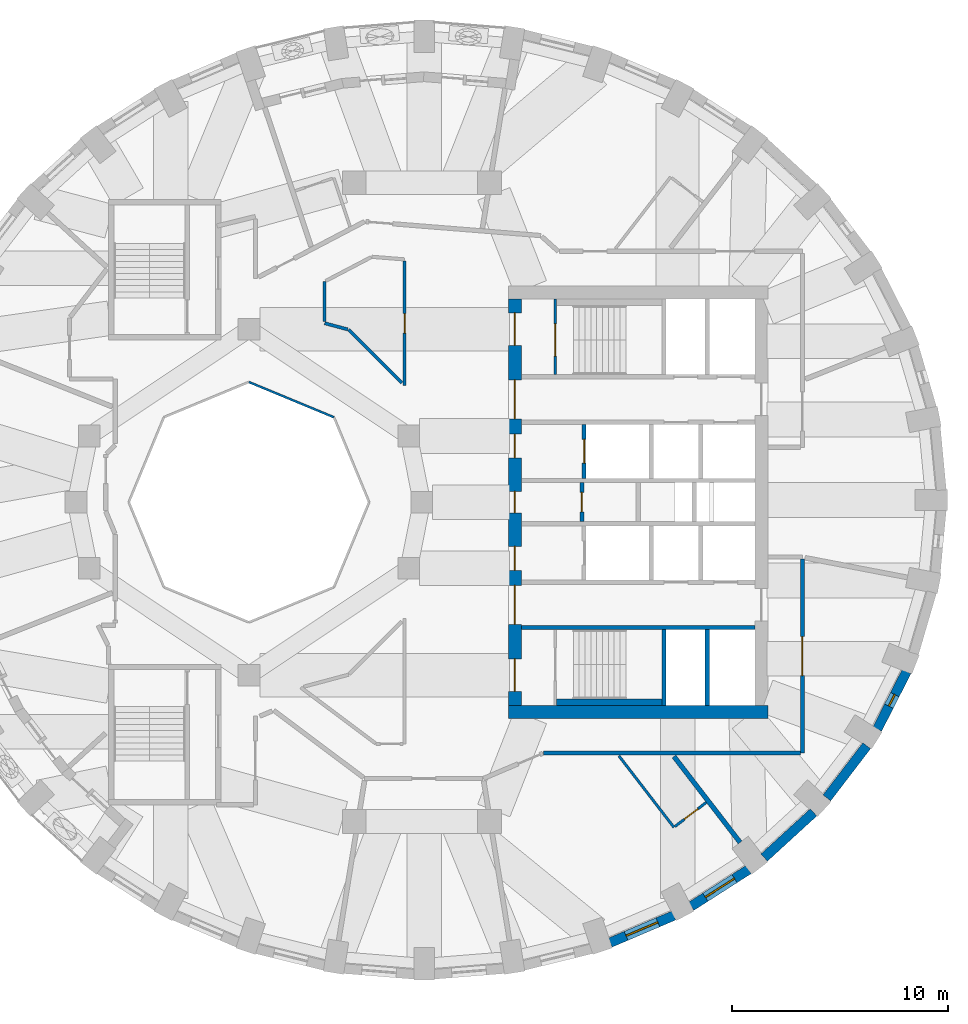
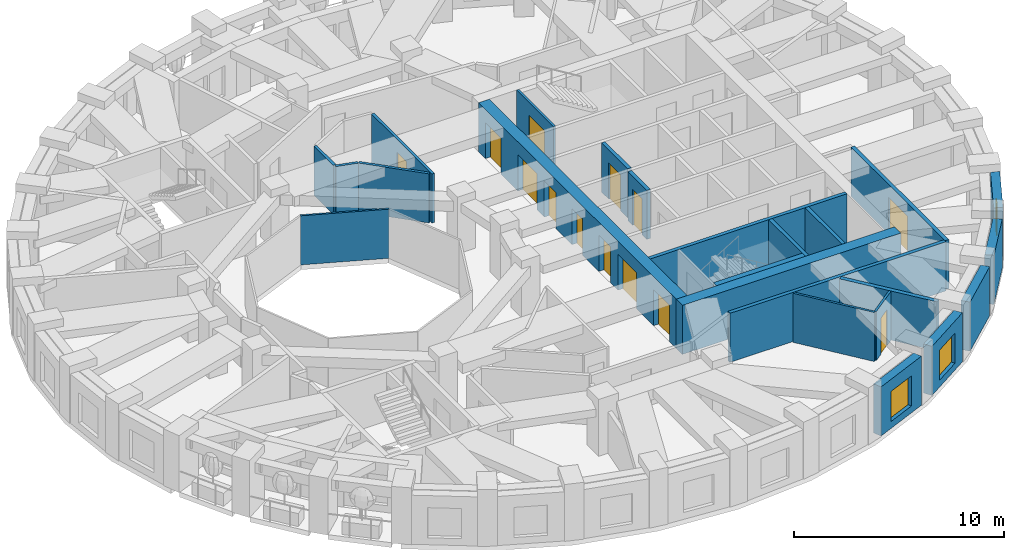
# One storey, part 5 of 11: 24 walls, 13 doors, 3 windows, 16 openings.
"""IFC4 building model written with IfcOpenShell, lengths in metres."""

from ifc_helpers import new_model, si_unit, direction, frame, frame_2d, origin, place, context, subcontext, project, spatial, rectangle, extrude, material, layer, layer_set, type_object, element, fill, save


model = new_model("IFC4")

# Units and contexts
model_context = context("Model", 3, precision=1e-05, world=origin(), true_north=direction((0.0, 1.0)))
body_context = subcontext(model_context, "Body", "Model", "MODEL_VIEW")
ifc_project = project(units=[si_unit("LENGTHUNIT", "METRE"), si_unit("AREAUNIT", "SQUARE_METRE"), si_unit("VOLUMEUNIT", "CUBIC_METRE"), si_unit("PLANEANGLEUNIT", "RADIAN"), si_unit("MASSUNIT", "GRAM", prefix="KILO")], contexts=[model_context])

# Site, building, storey
site_placement = place(None, origin())
site = spatial("IfcSite", under=ifc_project, at=site_placement, CompositionType="ELEMENT")
building_placement = place(site_placement, origin())
building = spatial("IfcBuilding", under=site, at=building_placement, Name="Taillehof Tower", CompositionType="ELEMENT")
storey_placement = place(building_placement, frame((0.0, 0.0, 181.39990234375)))
storey = spatial("IfcBuildingStorey", under=building, at=storey_placement, Name="L51", CompositionType="ELEMENT", Elevation=181.39990234375)

# Wall
ifc_material_1 = material(Name="Fire-resisting glass in steel frame", Category="steel")
ifc_layer_1 = layer(ifc_material_1, 0.10009765625)
ifc_layer_set_1 = layer_set([ifc_layer_1], Name="Atrium fire-resisting screen EI 60 100")
wall_type_1 = type_object("IfcWallType", Name="Atrium fire-resisting screen EI 60 100", PredefinedType="PARTITIONING", material=ifc_layer_set_1)
wall_1_placement = place(storey_placement, frame((-8.0, 5.55419921875, 0.0), z_axis=(0.0, 0.0, 1.0), x_axis=(0.923860025149, -0.382730523909, 0.0)))
element("IfcWall", 1, at=wall_1_placement, inside=storey, type_object=wall_type_1, Name="Atrium screen", PredefinedType="PARTITIONING", context=body_context, shape_type="SweptSolid", body=[
    extrude(rectangle(XDim=4.2509765625, YDim=0.10009765625, at=frame_2d((2.12548828125, 0.0))), origin(), (0.0, 0.0, 1.0), 2.85009765625),
])

# Wall, opening, window
ifc_material_2 = material(Name="Brick masonry", Category="masonry")
ifc_layer_2 = layer(ifc_material_2, 0.449951171875)
ifc_layer_set_2 = layer_set([ifc_layer_2], Name="Brick infill wall 450")
wall_type_2 = type_object("IfcWallType", Name="Brick infill wall 450", PredefinedType="SOLIDWALL", material=ifc_layer_set_2)
wall_2_placement = place(storey_placement, frame((8.706298828125, -20.37451171875, 0.0), z_axis=(0.0, 0.0, 1.0), x_axis=(0.91981046949, 0.392362969986, 0.0)))
wall_2 = element("IfcWall", 2, at=wall_2_placement, inside=storey, type_object=wall_type_2, Name="Brick wall L51 bay 30", PredefinedType="SOLIDWALL", context=body_context, shape_type="SweptSolid", body=[
    extrude(rectangle(XDim=3.20068359375, YDim=0.449951171875, at=frame_2d((1.600341796875, 0.0))), origin(), (0.0, 0.0, 1.0), 2.85009765625),
])
opening_1_placement = place(wall_2_placement, frame((0.80029296875, 0.0, 0.39990234375)))
opening_1 = element("IfcOpeningElement", 3, at=opening_1_placement, cuts=wall_2, Name="Opening W3", PredefinedType="OPENING", context=body_context, shape_type="SweptSolid", body=[
    extrude(rectangle(XDim=1.60009765625, YDim=1.75, at=frame_2d((0.800048828125, 0.875))), frame((0.0, 0.23486328125, 0.0), z_axis=(0.0, -1.0, 0.0), x_axis=(1.0, 0.0, 0.0)), (0.0, 0.0, 1.0), 0.469970703125),
])
ifc_material_3 = material(Name="Aluminium window frame with clear double glazing", Category="aluminium")
window_type_1 = type_object("IfcWindowType", Name="Deep-set window 1600x1750", PartitioningType="SINGLE_PANEL", PredefinedType="WINDOW", material=ifc_material_3)
window_1_placement = place(opening_1_placement, origin())
window_1 = element("IfcWindow", 4, at=window_1_placement, inside=storey, type_object=window_type_1, Name="W3", OverallHeight=1.75, OverallWidth=1.60009765625, PartitioningType="SINGLE_PANEL", PredefinedType="WINDOW", context=body_context, shape_type="SweptSolid", body=[
    extrude(rectangle(XDim=1.60009765625, YDim=1.75, at=frame_2d((0.800048828125, 0.875))), frame((0.0, 0.034912109375, 0.0), z_axis=(0.0, -1.0, 0.0), x_axis=(1.0, 0.0, 0.0)), (0.0, 0.0, 1.0), 0.06005859375),
])
fill(opening_1, window_1)

wall_3_placement = place(storey_placement, frame((12.454833984375, -18.693115234375, 0.0), z_axis=(0.0, 0.0, 1.0), x_axis=(0.842065914439, 0.539374633943, 0.0)))
wall_3 = element("IfcWall", 5, at=wall_3_placement, inside=storey, type_object=wall_type_2, Name="Brick wall L51 bay 31", PredefinedType="SOLIDWALL", context=body_context, shape_type="SweptSolid", body=[
    extrude(rectangle(XDim=3.1513671875, YDim=0.449951171875, at=frame_2d((1.57568359375, 0.0))), origin(), (0.0, 0.0, 1.0), 2.85009765625),
])
opening_2_placement = place(wall_3_placement, frame((0.775634765625, 0.0, 0.39990234375)))
opening_2 = element("IfcOpeningElement", 6, at=opening_2_placement, cuts=wall_3, Name="Opening W3", PredefinedType="OPENING", context=body_context, shape_type="SweptSolid", body=[
    extrude(rectangle(XDim=1.60009765625, YDim=1.75, at=frame_2d((0.800048828125, 0.875))), frame((0.0, 0.23486328125, 0.0), z_axis=(0.0, -1.0, 0.0), x_axis=(1.0, 0.0, 0.0)), (0.0, 0.0, 1.0), 0.469970703125),
])
window_2_placement = place(opening_2_placement, origin())
window_2 = element("IfcWindow", 7, at=window_2_placement, inside=storey, type_object=window_type_1, Name="W3", OverallHeight=1.75, OverallWidth=1.60009765625, PartitioningType="SINGLE_PANEL", PredefinedType="WINDOW", context=body_context, shape_type="SweptSolid", body=[
    extrude(rectangle(XDim=1.60009765625, YDim=1.75, at=frame_2d((0.800048828125, 0.875))), frame((0.0, 0.034912109375, 0.0), z_axis=(0.0, -1.0, 0.0), x_axis=(1.0, 0.0, 0.0)), (0.0, 0.0, 1.0), 0.06005859375),
])
fill(opening_2, window_2)

# Walls
wall_4_placement = place(storey_placement, frame((15.830078125, -16.438720703125, 0.0), z_axis=(0.0, 0.0, 1.0), x_axis=(0.737808755941, 0.675009807082, 0.0)))
element("IfcWall", 8, at=wall_4_placement, inside=storey, type_object=wall_type_2, Name="Brick wall L51 bay 32", PredefinedType="SOLIDWALL", context=body_context, shape_type="SweptSolid", body=[
    extrude(rectangle(XDim=3.094482421875, YDim=0.449951171875, at=frame_2d((1.54736328125, 0.0))), origin(), (0.0, 0.0, 1.0), 2.85009765625),
])
wall_5_placement = place(storey_placement, frame((18.72802734375, -13.6787109375, 0.0), z_axis=(0.0, 0.0, 1.0), x_axis=(0.607817056371, 0.794077090706, 0.0)))
element("IfcWall", 9, at=wall_5_placement, inside=storey, type_object=wall_type_2, Name="Brick wall L51 bay 33", PredefinedType="SOLIDWALL", context=body_context, shape_type="SweptSolid", body=[
    extrude(rectangle(XDim=3.037109375, YDim=0.449951171875, at=frame_2d((1.5185546875, 0.0))), origin(), (0.0, 0.0, 1.0), 2.85009765625),
])

# Wall, opening, window
wall_6_placement = place(storey_placement, frame((21.059326171875, -10.4970703125, 0.0), z_axis=(0.0, 0.0, 1.0), x_axis=(0.454133999889, 0.890933392653, 0.0)))
wall_6 = element("IfcWall", 10, at=wall_6_placement, inside=storey, type_object=wall_type_2, Name="Brick wall L51 bay 34", PredefinedType="SOLIDWALL", context=body_context, shape_type="SweptSolid", body=[
    extrude(rectangle(XDim=2.98583984375, YDim=0.449951171875, at=frame_2d((1.492919921875, 0.0))), origin(), (0.0, 0.0, 1.0), 2.85009765625),
])
opening_3_placement = place(wall_6_placement, frame((1.19287109375, 0.0, 0.39990234375)))
opening_3 = element("IfcOpeningElement", 11, at=opening_3_placement, cuts=wall_6, Name="Opening W6", PredefinedType="OPENING", context=body_context, shape_type="SweptSolid", body=[
    extrude(rectangle(XDim=0.60009765625, YDim=1.75, at=frame_2d((0.300048828125, 0.875))), frame((0.0, 0.23486328125, 0.0), z_axis=(0.0, -1.0, 0.0), x_axis=(1.0, 0.0, 0.0)), (0.0, 0.0, 1.0), 0.469970703125),
])
ifc_material_4 = material(Name="Aluminium window frame with clear double glazing", Category="aluminium")
window_type_2 = type_object("IfcWindowType", Name="Slot window 600x1750", PartitioningType="SINGLE_PANEL", PredefinedType="WINDOW", material=ifc_material_4)
window_3_placement = place(opening_3_placement, origin())
window_3 = element("IfcWindow", 12, at=window_3_placement, inside=storey, type_object=window_type_2, Name="W6", OverallHeight=1.75, OverallWidth=0.60009765625, PartitioningType="SINGLE_PANEL", PredefinedType="WINDOW", context=body_context, shape_type="SweptSolid", body=[
    extrude(rectangle(XDim=0.60009765625, YDim=1.75, at=frame_2d((0.300048828125, 0.875))), frame((0.0, 0.034912109375, 0.0), z_axis=(0.0, -1.0, 0.0), x_axis=(1.0, 0.0, 0.0)), (0.0, 0.0, 1.0), 0.06005859375),
])
fill(opening_3, window_3)

# Wall, opening, door
ifc_material_5 = material(Name="Calcium silicate masonry", Category="masonry")
ifc_layer_3 = layer(ifc_material_5, 0.199951171875)
ifc_layer_set_3 = layer_set([ifc_layer_3], Name="Compartment wall calcium silicate 200")
wall_type_3 = type_object("IfcWallType", Name="Compartment wall calcium silicate 200", PredefinedType="PARTITIONING", material=ifc_layer_set_3)
wall_7_placement = place(storey_placement, frame((7.39990234375, -0.89990234375, 0.0), z_axis=(0.0, 0.0, 1.0), x_axis=(0.0, 1.0, 0.0)))
wall_7 = element("IfcWall", 13, at=wall_7_placement, inside=storey, type_object=wall_type_3, Name="Compartment wall FW", PredefinedType="PARTITIONING", context=body_context, shape_type="SweptSolid", body=[
    extrude(rectangle(XDim=1.7998046875, YDim=0.199951171875, at=frame_2d((0.89990234375, 0.0))), origin(), (0.0, 0.0, 1.0), 2.85009765625),
])
opening_4_placement = place(wall_7_placement, frame((0.449951171875, 0.0, 0.0)))
opening_4 = element("IfcOpeningElement", 14, at=opening_4_placement, cuts=wall_7, Name="Opening D5114", PredefinedType="OPENING", context=body_context, shape_type="SweptSolid", body=[
    extrude(rectangle(XDim=0.89990234375, YDim=2.10009765625, at=frame_2d((0.449951171875, 1.050048828125))), frame((0.0, 0.10986328125, 0.0), z_axis=(0.0, -1.0, 0.0), x_axis=(1.0, 0.0, 0.0)), (0.0, 0.0, 1.0), 0.219970703125),
])
ifc_material_6 = material(Name="Steel-faced fire door", Category="steel")
door_type_1 = type_object("IfcDoorType", Name="Riser and service room door 900x2100", OperationType="SINGLE_SWING_LEFT", PredefinedType="DOOR", material=ifc_material_6)
door_1_placement = place(opening_4_placement, origin())
door_1 = element("IfcDoor", 15, at=door_1_placement, inside=storey, type_object=door_type_1, Name="Door Linen Store", OperationType="SINGLE_SWING_RIGHT", OverallHeight=2.10009765625, OverallWidth=0.89990234375, PredefinedType="DOOR", context=body_context, shape_type="SweptSolid", body=[
    extrude(rectangle(XDim=0.89990234375, YDim=2.10009765625, at=frame_2d((0.449951171875, 1.050048828125))), frame((0.0, 0.02490234375, 0.0), z_axis=(0.0, -1.0, 0.0), x_axis=(1.0, 0.0, 0.0)), (0.0, 0.0, 1.0), 0.050048828125),
])
fill(opening_4, door_1)

ifc_material_7 = material(Name="Gypsum board on steel studs, two layers each side", Category="steel")
ifc_layer_4 = layer(ifc_material_7, 0.199951171875)
ifc_layer_set_4 = layer_set([ifc_layer_4], Name="Compartment wall corridor 200")
wall_type_4 = type_object("IfcWallType", Name="Compartment wall corridor 200", PredefinedType="PARTITIONING", material=ifc_layer_set_4)
wall_8_placement = place(storey_placement, frame((17.60009765625, -2.637939453125, 0.0), z_axis=(0.0, 0.0, 1.0), x_axis=(0.0, -1.0, 0.0)))
wall_8 = element("IfcWall", 16, at=wall_8_placement, inside=storey, type_object=wall_type_4, Name="Compartment wall", PredefinedType="PARTITIONING", context=body_context, shape_type="SweptSolid", body=[
    extrude(rectangle(XDim=8.962158203125, YDim=0.199951171875, at=frame_2d((4.48095703125, 0.0))), origin(), (0.0, 0.0, 1.0), 2.85009765625),
])
opening_5_placement = place(wall_8_placement, frame((3.5810546875, 0.0, 0.0)))
opening_5 = element("IfcOpeningElement", 17, at=opening_5_placement, cuts=wall_8, Name="Opening D5152", PredefinedType="OPENING", context=body_context, shape_type="SweptSolid", body=[
    extrude(rectangle(XDim=1.800048828125, YDim=2.10009765625, at=frame_2d((0.89990234375, 1.050048828125))), frame((0.0, 0.10986328125, 0.0), z_axis=(0.0, -1.0, 0.0), x_axis=(1.0, 0.0, 0.0)), (0.0, 0.0, 1.0), 0.219970703125),
])
ifc_material_8 = material(Name="Timber door leaf in steel frame", Category="steel")
door_type_2 = type_object("IfcDoorType", Name="Lounge and meeting room double door EI 30 1800 x 2100", OperationType="SINGLE_SWING_LEFT", PredefinedType="DOOR", material=ifc_material_8)
door_2_placement = place(opening_5_placement, origin())
door_2 = element("IfcDoor", 18, at=door_2_placement, inside=storey, type_object=door_type_2, Name="D5152", OperationType="DOUBLE_DOOR_SINGLE_SWING", OverallHeight=2.10009765625, OverallWidth=1.800048828125, PredefinedType="DOOR", context=body_context, shape_type="SweptSolid", body=[
    extrude(rectangle(XDim=1.800048828125, YDim=2.10009765625, at=frame_2d((0.89990234375, 1.050048828125))), frame((0.0, 0.02490234375, 0.0), z_axis=(0.0, -1.0, 0.0), x_axis=(1.0, 0.0, 0.0)), (0.0, 0.0, 1.0), 0.050048828125),
])
fill(opening_5, door_2)

# Walls
wall_9_placement = place(storey_placement, frame((17.5, -11.60009765625, 0.0), z_axis=(0.0, 0.0, 1.0), x_axis=(-1.0, 0.0, 0.0)))
element("IfcWall", 19, at=wall_9_placement, inside=storey, type_object=wall_type_4, Name="Compartment wall", PredefinedType="PARTITIONING", context=body_context, shape_type="SweptSolid", body=[
    extrude(rectangle(XDim=11.876220703125, YDim=0.199951171875, at=frame_2d((5.93798828125, 0.0))), origin(), (0.0, 0.0, 1.0), 2.85009765625),
])
ifc_material_9 = material(Name="Gypsum board on double steel studs with mineral wool", Category="steel")
ifc_layer_5 = layer(ifc_material_9, 0.219970703125)
ifc_layer_set_5 = layer_set([ifc_layer_5], Name="Compartment wall guest room 220")
wall_type_5 = type_object("IfcWallType", Name="Compartment wall guest room 220", PredefinedType="PARTITIONING", material=ifc_layer_set_5)
wall_10_placement = place(storey_placement, frame((14.7158203125, -15.7373046875, 0.0), z_axis=(0.0, 0.0, 1.0), x_axis=(-0.609986007715, 0.792412184657, 0.0)))
element("IfcWall", 20, at=wall_10_placement, inside=storey, type_object=wall_type_5, Name="Compartment wall", PredefinedType="PARTITIONING", context=body_context, shape_type="SweptSolid", body=[
    extrude(rectangle(XDim=5.0146484375, YDim=0.219970703125, at=frame_2d((2.50732421875, 0.0))), origin(), (0.0, 0.0, 1.0), 2.85009765625),
])
ifc_material_10 = material(Name="Calcium silicate masonry", Category="masonry")
ifc_layer_6 = layer(ifc_material_10, 0.300048828125)
ifc_layer_set_6 = layer_set([ifc_layer_6], Name="Compartment wall lining calcium silicate 300")
wall_type_6 = type_object("IfcWallType", Name="Compartment wall lining calcium silicate 300", PredefinedType="PARTITIONING", material=ifc_layer_set_6)
wall_11_placement = place(storey_placement, frame((6.219970703125, -9.25, 0.0), z_axis=(0.0, 0.0, 1.0), x_axis=(1.0, 0.0, 0.0)))
element("IfcWall", 21, at=wall_11_placement, inside=storey, type_object=wall_type_6, Name="Compartment wall FW", PredefinedType="PARTITIONING", context=body_context, shape_type="SweptSolid", body=[
    extrude(rectangle(XDim=4.880126953125, YDim=0.300048828125, at=frame_2d((2.43994140625, 0.0))), origin(), (0.0, 0.0, 1.0), 2.85009765625),
])

# Wall, opening, door
ifc_material_11 = material(Name="Gypsum board on steel studs, two layers each side", Category="steel")
ifc_layer_7 = layer(ifc_material_11, 0.14990234375)
ifc_layer_set_7 = layer_set([ifc_layer_7], Name="Compartment wall service room 150")
wall_type_7 = type_object("IfcWallType", Name="Compartment wall service room 150", PredefinedType="PARTITIONING", material=ifc_layer_set_7)
wall_12_placement = place(storey_placement, frame((-0.800048828125, 11.146728515625, 0.0), z_axis=(0.0, 0.0, 1.0), x_axis=(0.0, -1.0, 0.0)))
wall_12 = element("IfcWall", 22, at=wall_12_placement, inside=storey, type_object=wall_type_7, Name="Compartment wall", PredefinedType="PARTITIONING", context=body_context, shape_type="SweptSolid", body=[
    extrude(rectangle(XDim=5.76025390625, YDim=0.14990234375, at=frame_2d((2.880126953125, 0.0))), origin(), (0.0, 0.0, 1.0), 2.85009765625),
])
opening_6_placement = place(wall_12_placement, frame((2.43017578125, 0.0, 0.0)))
opening_6 = element("IfcOpeningElement", 23, at=opening_6_placement, cuts=wall_12, Name="Opening D5155", PredefinedType="OPENING", context=body_context, shape_type="SweptSolid", body=[
    extrude(rectangle(XDim=0.89990234375, YDim=2.10009765625, at=frame_2d((0.449951171875, 1.050048828125))), frame((0.0, 0.0849609375, 0.0), z_axis=(0.0, -1.0, 0.0), x_axis=(1.0, 0.0, 0.0)), (0.0, 0.0, 1.0), 0.169921875),
])
ifc_material_12 = material(Name="Timber door leaf in steel frame", Category="steel")
door_type_3 = type_object("IfcDoorType", Name="Service room door EI 30 900 x 2100", OperationType="SINGLE_SWING_LEFT", PredefinedType="DOOR", material=ifc_material_12)
door_3_placement = place(opening_6_placement, origin())
door_3 = element("IfcDoor", 24, at=door_3_placement, inside=storey, type_object=door_type_3, Name="D5155", OperationType="SINGLE_SWING_LEFT", OverallHeight=2.10009765625, OverallWidth=0.89990234375, PredefinedType="DOOR", context=body_context, shape_type="SweptSolid", body=[
    extrude(rectangle(XDim=0.89990234375, YDim=2.10009765625, at=frame_2d((0.449951171875, 1.050048828125))), frame((0.0, 0.02490234375, 0.0), z_axis=(0.0, -1.0, 0.0), x_axis=(1.0, 0.0, 0.0)), (0.0, 0.0, 1.0), 0.050048828125),
])
fill(opening_6, door_3)

# Walls
wall_13_placement = place(storey_placement, frame((-0.927490234375, 5.513916015625, 0.0), z_axis=(0.0, 0.0, 1.0), x_axis=(-0.707106781187, 0.707106781187, 0.0)))
element("IfcWall", 25, at=wall_13_placement, inside=storey, type_object=wall_type_7, Name="Compartment wall", PredefinedType="PARTITIONING", context=body_context, shape_type="SweptSolid", body=[
    extrude(rectangle(XDim=3.48681640625, YDim=0.14990234375, at=frame_2d((1.743408203125, 0.0))), origin(), (0.0, 0.0, 1.0), 2.85009765625),
])
wall_14_placement = place(storey_placement, frame((-3.431640625, 7.98974609375, 0.0), z_axis=(0.0, 0.0, 1.0), x_axis=(-0.965900750832, 0.258912609855, 0.0)))
element("IfcWall", 26, at=wall_14_placement, inside=storey, type_object=wall_type_7, Name="Compartment wall", PredefinedType="PARTITIONING", context=body_context, shape_type="SweptSolid", body=[
    extrude(rectangle(XDim=1.10595703125, YDim=0.14990234375, at=frame_2d((0.552978515625, 0.0))), origin(), (0.0, 0.0, 1.0), 2.85009765625),
])
wall_15_placement = place(storey_placement, frame((-4.5, 8.356201171875, 0.0), z_axis=(0.0, 0.0, 1.0), x_axis=(0.0, 1.0, 0.0)))
element("IfcWall", 27, at=wall_15_placement, inside=storey, type_object=wall_type_7, Name="Compartment wall", PredefinedType="PARTITIONING", context=body_context, shape_type="SweptSolid", body=[
    extrude(rectangle(XDim=1.84814453125, YDim=0.14990234375, at=frame_2d((0.924072265625, 0.0))), origin(), (0.0, 0.0, 1.0), 2.85009765625),
])

# Wall, openings, doors
ifc_material_13 = material(Name="Concrete C80/95", Category="concrete")
ifc_layer_8 = layer(ifc_material_13, 0.60009765625)
ifc_layer_set_8 = layer_set([ifc_layer_8], Name="Core wall C80/95 600")
wall_type_8 = type_object("IfcWallType", Name="Core wall C80/95 600", PredefinedType="SHEAR", material=ifc_layer_set_8)
wall_16_placement = place(storey_placement, frame((4.300048828125, -9.39990234375, 0.0), z_axis=(0.0, 0.0, 1.0), x_axis=(0.0, 1.0, 0.0)))
wall_16 = element("IfcWall", 28, at=wall_16_placement, inside=storey, type_object=wall_type_8, Name="Core wall CW01", PredefinedType="SHEAR", context=body_context, shape_type="SweptSolid", body=[
    extrude(rectangle(XDim=18.7998046875, YDim=0.60009765625, at=frame_2d((9.39990234375, 0.0))), origin(), (0.0, 0.0, 1.0), 2.85009765625),
])
opening_7_placement = place(wall_16_placement, frame((0.64990234375, 0.0, 0.0)))
opening_7 = element("IfcOpeningElement", 29, at=opening_7_placement, cuts=wall_16, Name="Opening D5101", PredefinedType="OPENING", context=body_context, shape_type="SweptSolid", body=[
    extrude(rectangle(XDim=1.5, YDim=2.10009765625, at=frame_2d((0.75, 1.050048828125))), frame((0.0, 0.31005859375, 0.0), z_axis=(0.0, -1.0, 0.0), x_axis=(1.0, 0.0, 0.0)), (0.0, 0.0, 1.0), 0.6201171875),
])
opening_8_placement = place(wall_16_placement, frame((3.75, 0.0, 0.0)))
opening_8 = element("IfcOpeningElement", 30, at=opening_8_placement, cuts=wall_16, Name="Opening D5102", PredefinedType="OPENING", context=body_context, shape_type="SweptSolid", body=[
    extrude(rectangle(XDim=1.800048828125, YDim=2.10009765625, at=frame_2d((0.89990234375, 1.050048828125))), frame((0.0, 0.31005859375, 0.0), z_axis=(0.0, -1.0, 0.0), x_axis=(1.0, 0.0, 0.0)), (0.0, 0.0, 1.0), 0.6201171875),
])
opening_9_placement = place(wall_16_placement, frame((6.25, 0.0, 0.0)))
opening_9 = element("IfcOpeningElement", 31, at=opening_9_placement, cuts=wall_16, Name="Opening D5103", PredefinedType="OPENING", context=body_context, shape_type="SweptSolid", body=[
    extrude(rectangle(XDim=1.10009765625, YDim=2.10009765625, at=frame_2d((0.550048828125, 1.050048828125))), frame((0.0, 0.31005859375, 0.0), z_axis=(0.0, -1.0, 0.0), x_axis=(1.0, 0.0, 0.0)), (0.0, 0.0, 1.0), 0.6201171875),
])
opening_10_placement = place(wall_16_placement, frame((8.89990234375, 0.0, 0.0)))
opening_10 = element("IfcOpeningElement", 32, at=opening_10_placement, cuts=wall_16, Name="Opening D5104", PredefinedType="OPENING", context=body_context, shape_type="SweptSolid", body=[
    extrude(rectangle(XDim=1.0, YDim=2.10009765625, at=frame_2d((0.5, 1.050048828125))), frame((0.0, 0.31005859375, 0.0), z_axis=(0.0, -1.0, 0.0), x_axis=(1.0, 0.0, 0.0)), (0.0, 0.0, 1.0), 0.6201171875),
])
opening_11_placement = place(wall_16_placement, frame((11.449951171875, 0.0, 0.0)))
opening_11 = element("IfcOpeningElement", 33, at=opening_11_placement, cuts=wall_16, Name="Opening D5105", PredefinedType="OPENING", context=body_context, shape_type="SweptSolid", body=[
    extrude(rectangle(XDim=1.10009765625, YDim=2.10009765625, at=frame_2d((0.550048828125, 1.050048828125))), frame((0.0, 0.31005859375, 0.0), z_axis=(0.0, -1.0, 0.0), x_axis=(1.0, 0.0, 0.0)), (0.0, 0.0, 1.0), 0.6201171875),
])
opening_12_placement = place(wall_16_placement, frame((13.25, 0.0, 0.0)))
opening_12 = element("IfcOpeningElement", 34, at=opening_12_placement, cuts=wall_16, Name="Opening D5106", PredefinedType="OPENING", context=body_context, shape_type="SweptSolid", body=[
    extrude(rectangle(XDim=1.800048828125, YDim=2.10009765625, at=frame_2d((0.89990234375, 1.050048828125))), frame((0.0, 0.31005859375, 0.0), z_axis=(0.0, -1.0, 0.0), x_axis=(1.0, 0.0, 0.0)), (0.0, 0.0, 1.0), 0.6201171875),
])
opening_13_placement = place(wall_16_placement, frame((16.64990234375, 0.0, 0.0)))
opening_13 = element("IfcOpeningElement", 35, at=opening_13_placement, cuts=wall_16, Name="Opening D5107", PredefinedType="OPENING", context=body_context, shape_type="SweptSolid", body=[
    extrude(rectangle(XDim=1.5, YDim=2.10009765625, at=frame_2d((0.75, 1.050048828125))), frame((0.0, 0.31005859375, 0.0), z_axis=(0.0, -1.0, 0.0), x_axis=(1.0, 0.0, 0.0)), (0.0, 0.0, 1.0), 0.6201171875),
])
ifc_material_14 = material(Name="Steel-faced fire door", Category="steel")
door_type_4 = type_object("IfcDoorType", Name="Firefighting lobby door 1100x2100", OperationType="SINGLE_SWING_RIGHT", PredefinedType="DOOR", material=ifc_material_14)
door_4_placement = place(opening_9_placement, origin())
door_4 = element("IfcDoor", 36, at=door_4_placement, inside=storey, type_object=door_type_4, Name="Firefighting lobby door FFL-S", OperationType="SINGLE_SWING_RIGHT", OverallHeight=2.10009765625, OverallWidth=1.10009765625, PredefinedType="DOOR", context=body_context, shape_type="SweptSolid", body=[
    extrude(rectangle(XDim=1.10009765625, YDim=2.10009765625, at=frame_2d((0.550048828125, 1.050048828125))), frame((0.0, 0.02490234375, 0.0), z_axis=(0.0, -1.0, 0.0), x_axis=(1.0, 0.0, 0.0)), (0.0, 0.0, 1.0), 0.050048828125),
])
fill(opening_9, door_4)
door_5_placement = place(opening_11_placement, origin())
door_5 = element("IfcDoor", 37, at=door_5_placement, inside=storey, type_object=door_type_4, Name="Firefighting lobby door FFL-N", OperationType="SINGLE_SWING_LEFT", OverallHeight=2.10009765625, OverallWidth=1.10009765625, PredefinedType="DOOR", context=body_context, shape_type="SweptSolid", body=[
    extrude(rectangle(XDim=1.10009765625, YDim=2.10009765625, at=frame_2d((0.550048828125, 1.050048828125))), frame((0.0, 0.02490234375, 0.0), z_axis=(0.0, -1.0, 0.0), x_axis=(1.0, 0.0, 0.0)), (0.0, 0.0, 1.0), 0.050048828125),
])
fill(opening_11, door_5)
ifc_material_15 = material(Name="Steel-faced fire door", Category="steel")
door_type_5 = type_object("IfcDoorType", Name="Lift lobby door 1800x2100", OperationType="DOUBLE_DOOR_SINGLE_SWING", PredefinedType="DOOR", material=ifc_material_15)
door_6_placement = place(opening_8_placement, origin())
door_6 = element("IfcDoor", 38, at=door_6_placement, inside=storey, type_object=door_type_5, Name="Lift lobby door LL-S", OperationType="DOUBLE_DOOR_SINGLE_SWING", OverallHeight=2.10009765625, OverallWidth=1.800048828125, PredefinedType="DOOR", context=body_context, shape_type="SweptSolid", body=[
    extrude(rectangle(XDim=1.800048828125, YDim=2.10009765625, at=frame_2d((0.89990234375, 1.050048828125))), frame((0.0, 0.02490234375, 0.0), z_axis=(0.0, -1.0, 0.0), x_axis=(1.0, 0.0, 0.0)), (0.0, 0.0, 1.0), 0.050048828125),
])
fill(opening_8, door_6)
door_7_placement = place(opening_12_placement, origin())
door_7 = element("IfcDoor", 39, at=door_7_placement, inside=storey, type_object=door_type_5, Name="Lift lobby door LL-N", OperationType="DOUBLE_DOOR_SINGLE_SWING", OverallHeight=2.10009765625, OverallWidth=1.800048828125, PredefinedType="DOOR", context=body_context, shape_type="SweptSolid", body=[
    extrude(rectangle(XDim=1.800048828125, YDim=2.10009765625, at=frame_2d((0.89990234375, 1.050048828125))), frame((0.0, 0.02490234375, 0.0), z_axis=(0.0, -1.0, 0.0), x_axis=(1.0, 0.0, 0.0)), (0.0, 0.0, 1.0), 0.050048828125),
])
fill(opening_12, door_7)
ifc_material_16 = material(Name="Steel-faced fire door", Category="steel")
door_type_6 = type_object("IfcDoorType", Name="Service door 1000x2100", OperationType="SINGLE_SWING_RIGHT", PredefinedType="DOOR", material=ifc_material_16)
door_8_placement = place(opening_10_placement, origin())
door_8 = element("IfcDoor", 40, at=door_8_placement, inside=storey, type_object=door_type_6, Name="Service door SV", OperationType="SINGLE_SWING_RIGHT", OverallHeight=2.10009765625, OverallWidth=1.0, PredefinedType="DOOR", context=body_context, shape_type="SweptSolid", body=[
    extrude(rectangle(XDim=1.0, YDim=2.10009765625, at=frame_2d((0.5, 1.050048828125))), frame((0.0, 0.02490234375, 0.0), z_axis=(0.0, -1.0, 0.0), x_axis=(1.0, 0.0, 0.0)), (0.0, 0.0, 1.0), 0.050048828125),
])
fill(opening_10, door_8)
ifc_material_17 = material(Name="Steel-faced fire door", Category="steel")
door_type_7 = type_object("IfcDoorType", Name="Stair door 1500x2100", OperationType="DOUBLE_DOOR_SINGLE_SWING", PredefinedType="DOOR", material=ifc_material_17)
door_9_placement = place(opening_7_placement, origin())
door_9 = element("IfcDoor", 41, at=door_9_placement, inside=storey, type_object=door_type_7, Name="Stair door S2", OperationType="DOUBLE_DOOR_SINGLE_SWING", OverallHeight=2.10009765625, OverallWidth=1.5, PredefinedType="DOOR", context=body_context, shape_type="SweptSolid", body=[
    extrude(rectangle(XDim=1.5, YDim=2.10009765625, at=frame_2d((0.75, 1.050048828125))), frame((0.0, 0.02490234375, 0.0), z_axis=(0.0, -1.0, 0.0), x_axis=(1.0, 0.0, 0.0)), (0.0, 0.0, 1.0), 0.050048828125),
])
fill(opening_7, door_9)
door_10_placement = place(opening_13_placement, origin())
door_10 = element("IfcDoor", 42, at=door_10_placement, inside=storey, type_object=door_type_7, Name="Stair door S1", OperationType="DOUBLE_DOOR_SINGLE_SWING", OverallHeight=2.10009765625, OverallWidth=1.5, PredefinedType="DOOR", context=body_context, shape_type="SweptSolid", body=[
    extrude(rectangle(XDim=1.5, YDim=2.10009765625, at=frame_2d((0.75, 1.050048828125))), frame((0.0, 0.02490234375, 0.0), z_axis=(0.0, -1.0, 0.0), x_axis=(1.0, 0.0, 0.0)), (0.0, 0.0, 1.0), 0.050048828125),
])
fill(opening_13, door_10)

# Walls
wall_17_placement = place(storey_placement, frame((4.0, -9.699951171875, 0.0), z_axis=(0.0, 0.0, 1.0), x_axis=(1.0, 0.0, 0.0)))
element("IfcWall", 43, at=wall_17_placement, inside=storey, type_object=wall_type_8, Name="Core wall CW07", PredefinedType="SHEAR", context=body_context, shape_type="SweptSolid", body=[
    extrude(rectangle(XDim=12.0, YDim=0.60009765625, at=frame_2d((6.0, 0.0))), origin(), (0.0, 0.0, 1.0), 2.85009765625),
])
ifc_material_18 = material(Name="Gypsum board on steel studs, moisture resistant", Category="steel")
ifc_layer_9 = layer(ifc_material_18, 0.1201171875)
ifc_layer_set_9 = layer_set([ifc_layer_9], Name="En-suite wall 120")
wall_type_9 = type_object("IfcWallType", Name="En-suite wall 120", PredefinedType="PARTITIONING", material=ifc_layer_set_9)
wall_18_placement = place(storey_placement, frame((9.108642578125, -11.73193359375, 0.0), z_axis=(0.0, 0.0, 1.0), x_axis=(0.609996270026, -0.79240428479, 0.0)))
element("IfcWall", 44, at=wall_18_placement, inside=storey, type_object=wall_type_9, Name="En-suite wall", PredefinedType="PARTITIONING", context=body_context, shape_type="SweptSolid", body=[
    extrude(rectangle(XDim=4.17333984375, YDim=0.1201171875, at=frame_2d((2.086669921875, 0.0))), origin(), (0.0, 0.0, 1.0), 2.85009765625),
])

# Wall, opening, door
wall_19_placement = place(storey_placement, frame((11.701904296875, -15.002197265625, 0.0), z_axis=(0.0, 0.0, 1.0), x_axis=(0.792395776304, 0.610007322657, 0.0)))
wall_19 = element("IfcWall", 45, at=wall_19_placement, inside=storey, type_object=wall_type_9, Name="En-suite wall", PredefinedType="PARTITIONING", context=body_context, shape_type="SweptSolid", body=[
    extrude(rectangle(XDim=1.829833984375, YDim=0.1201171875, at=frame_2d((0.9150390625, 0.0))), origin(), (0.0, 0.0, 1.0), 2.85009765625),
])
opening_14_placement = place(wall_19_placement, frame((0.5400390625, 0.0, 0.0)))
opening_14 = element("IfcOpeningElement", 46, at=opening_14_placement, cuts=wall_19, Name="Opening D5151", PredefinedType="OPENING", context=body_context, shape_type="SweptSolid", body=[
    extrude(rectangle(XDim=0.800048828125, YDim=2.10009765625, at=frame_2d((0.39990234375, 1.050048828125))), frame((0.0, 0.070068359375, 0.0), z_axis=(0.0, -1.0, 0.0), x_axis=(1.0, 0.0, 0.0)), (0.0, 0.0, 1.0), 0.14013671875),
])
ifc_material_19 = material(Name="Timber door leaf in steel frame", Category="steel")
door_type_8 = type_object("IfcDoorType", Name="En-suite door 800 x 2100", OperationType="SINGLE_SWING_LEFT", PredefinedType="DOOR", material=ifc_material_19)
door_11_placement = place(opening_14_placement, origin())
door_11 = element("IfcDoor", 47, at=door_11_placement, inside=storey, type_object=door_type_8, Name="D5151", OperationType="SINGLE_SWING_LEFT", OverallHeight=2.10009765625, OverallWidth=0.800048828125, PredefinedType="DOOR", context=body_context, shape_type="SweptSolid", body=[
    extrude(rectangle(XDim=0.800048828125, YDim=2.10009765625, at=frame_2d((0.39990234375, 1.050048828125))), frame((0.0, 0.02490234375, 0.0), z_axis=(0.0, -1.0, 0.0), x_axis=(1.0, 0.0, 0.0)), (0.0, 0.0, 1.0), 0.050048828125),
])
fill(opening_14, door_11)

# Walls
ifc_material_20 = material(Name="Concrete C50/60", Category="concrete")
ifc_layer_10 = layer(ifc_material_20, 0.199951171875)
ifc_layer_set_10 = layer_set([ifc_layer_10], Name="Shaft wall C50/60 200")
wall_type_10 = type_object("IfcWallType", Name="Shaft wall C50/60 200", PredefinedType="SHEAR", material=ifc_layer_set_10)
wall_20_placement = place(storey_placement, frame((4.60009765625, -5.800048828125, 0.0), z_axis=(0.0, 0.0, 1.0), x_axis=(1.0, 0.0, 0.0)))
element("IfcWall", 48, at=wall_20_placement, inside=storey, type_object=wall_type_10, Name="Shaft wall SW", PredefinedType="SHEAR", context=body_context, shape_type="SweptSolid", body=[
    extrude(rectangle(XDim=10.7998046875, YDim=0.199951171875, at=frame_2d((5.39990234375, 0.0))), origin(), (0.0, 0.0, 1.0), 2.85009765625),
])
for number, where, z_axis, x_axis, name in (
    (49, (11.199951171875, -9.39990234375, 0.0), (0.0, 0.0, 1.0), (0.0, 1.0, 0.0), "Shaft wall SW"),
    (50, (13.199951171875, -9.39990234375, 0.0), (0.0, 0.0, 1.0), (0.0, 1.0, 0.0), "Shaft wall SW"),
):
    element("IfcWall", number, at=place(storey_placement, frame(where, z_axis=z_axis, x_axis=x_axis)), inside=storey, type_object=wall_type_10, Name=name, PredefinedType="SHEAR", context=body_context, shape_type="SweptSolid", body=[
        extrude(rectangle(XDim=3.5, YDim=0.199951171875, at=frame_2d((1.75, 0.0))), origin(), (0.0, 0.0, 1.0), 2.85009765625),
    ])

# Wall, opening, door
wall_21_placement = place(storey_placement, frame((7.5, 1.10009765625, 0.0), z_axis=(0.0, 0.0, 1.0), x_axis=(0.0, 1.0, 0.0)))
wall_21 = element("IfcWall", 51, at=wall_21_placement, inside=storey, type_object=wall_type_10, Name="Shaft wall SW", PredefinedType="SHEAR", context=body_context, shape_type="SweptSolid", body=[
    extrude(rectangle(XDim=2.5, YDim=0.199951171875, at=frame_2d((1.25, 0.0))), origin(), (0.0, 0.0, 1.0), 2.85009765625),
])
opening_15_placement = place(wall_21_placement, frame((0.699951171875, 0.0, 0.0)))
opening_15 = element("IfcOpeningElement", 52, at=opening_15_placement, cuts=wall_21, Name="Opening LD1", PredefinedType="OPENING", context=body_context, shape_type="SweptSolid", body=[
    extrude(rectangle(XDim=1.10009765625, YDim=2.10009765625, at=frame_2d((0.550048828125, 1.050048828125))), frame((0.0, 0.10986328125, 0.0), z_axis=(0.0, -1.0, 0.0), x_axis=(1.0, 0.0, 0.0)), (0.0, 0.0, 1.0), 0.219970703125),
])
ifc_material_21 = material(Name="Stainless steel", Category="steel")
door_type_9 = type_object("IfcDoorType", Name="Lift landing door LD1 1100x2100", OperationType="DOUBLE_DOOR_SLIDING", PredefinedType="DOOR", material=ifc_material_21)
door_12_placement = place(opening_15_placement, origin())
door_12 = element("IfcDoor", 53, at=door_12_placement, inside=storey, type_object=door_type_9, Name="Landing door FF1", OperationType="DOUBLE_DOOR_SLIDING", OverallHeight=2.10009765625, OverallWidth=1.10009765625, PredefinedType="DOOR", context=body_context, shape_type="SweptSolid", body=[
    extrude(rectangle(XDim=1.10009765625, YDim=2.10009765625, at=frame_2d((0.550048828125, 1.050048828125))), frame((0.0, 0.02490234375, 0.0), z_axis=(0.0, -1.0, 0.0), x_axis=(1.0, 0.0, 0.0)), (0.0, 0.0, 1.0), 0.050048828125),
])
fill(opening_15, door_12)

ifc_material_22 = material(Name="Concrete C50/60", Category="concrete")
ifc_layer_11 = layer(ifc_material_22, 0.1201171875)
ifc_layer_set_11 = layer_set([ifc_layer_11], Name="Stair lobby wall C50/60 120")
wall_type_11 = type_object("IfcWallType", Name="Stair lobby wall C50/60 120", PredefinedType="SHEAR", material=ifc_layer_set_11)
wall_22_placement = place(storey_placement, frame((6.159912109375, 5.89990234375, 0.0), z_axis=(0.0, 0.0, 1.0), x_axis=(0.0, 1.0, 0.0)))
wall_22 = element("IfcWall", 54, at=wall_22_placement, inside=storey, type_object=wall_type_11, Name="Compartment wall SW", PredefinedType="SHEAR", context=body_context, shape_type="SweptSolid", body=[
    extrude(rectangle(XDim=3.5, YDim=0.1201171875, at=frame_2d((1.75, 0.0))), origin(), (0.0, 0.0, 1.0), 2.85009765625),
])
opening_16_placement = place(wall_22_placement, frame((0.85009765625, 0.0, 0.0)))
opening_16 = element("IfcOpeningElement", 55, at=opening_16_placement, cuts=wall_22, Name="Opening D5110", PredefinedType="OPENING", context=body_context, shape_type="SweptSolid", body=[
    extrude(rectangle(XDim=1.5, YDim=2.10009765625, at=frame_2d((0.75, 1.050048828125))), frame((0.0, 0.070068359375, 0.0), z_axis=(0.0, -1.0, 0.0), x_axis=(1.0, 0.0, 0.0)), (0.0, 0.0, 1.0), 0.14013671875),
])
door_13_placement = place(opening_16_placement, origin())
door_13 = element("IfcDoor", 56, at=door_13_placement, inside=storey, type_object=door_type_7, Name="Stair lobby door S1", OperationType="DOUBLE_DOOR_SINGLE_SWING", OverallHeight=2.10009765625, OverallWidth=1.5, PredefinedType="DOOR", context=body_context, shape_type="SweptSolid", body=[
    extrude(rectangle(XDim=1.5, YDim=2.10009765625, at=frame_2d((0.75, 1.050048828125))), frame((0.0, 0.02490234375, 0.0), z_axis=(0.0, -1.0, 0.0), x_axis=(1.0, 0.0, 0.0)), (0.0, 0.0, 1.0), 0.050048828125),
])
fill(opening_16, door_13)

save(model, "model.ifc")
